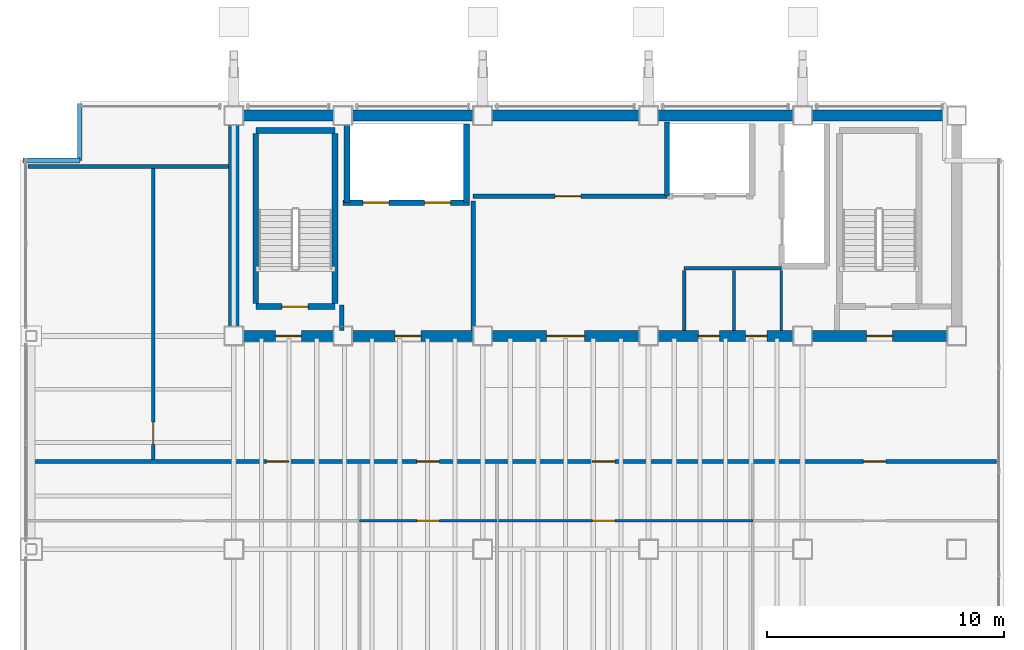
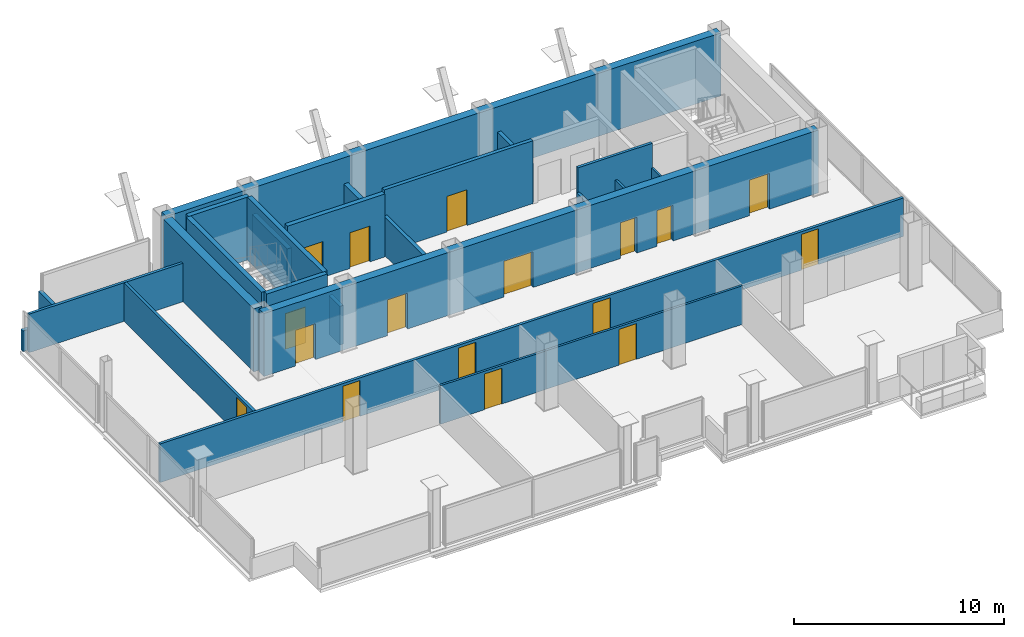
# One storey, part 14 of 16: 25 walls, 17 doors, 17 openings.
"""IFC4 building model written with IfcOpenShell, lengths in metres."""

from ifc_helpers import new_model, si_unit, direction, frame, frame_2d, origin, place, context, subcontext, project, spatial, rectangle, extrude, material, layer, layer_set, type_object, element, fill, save


model = new_model("IFC4")

# Units and contexts
model_context = context("Model", 3, precision=1e-05, world=origin(), true_north=direction((0.0, 1.0)))
body_context = subcontext(model_context, "Body", "Model", "MODEL_VIEW")
ifc_project = project(units=[si_unit("LENGTHUNIT", "METRE"), si_unit("AREAUNIT", "SQUARE_METRE"), si_unit("VOLUMEUNIT", "CUBIC_METRE"), si_unit("PLANEANGLEUNIT", "RADIAN"), si_unit("MASSUNIT", "GRAM", prefix="KILO")], contexts=[model_context])

# Site, building, storey
site_placement = place(None, origin())
site = spatial("IfcSite", under=ifc_project, at=site_placement, CompositionType="ELEMENT")
building_placement = place(site_placement, origin())
building = spatial("IfcBuilding", under=site, at=building_placement, Name="Noeulbin Bourse Tower", CompositionType="ELEMENT")
storey_placement = place(building_placement, frame((0.0, 0.0, 254.0)))
storey = spatial("IfcBuildingStorey", under=building, at=storey_placement, Name="L63", CompositionType="ELEMENT", Elevation=254.0)

# Wall, openings, doors
ifc_material_1 = material(Name="Concrete C50/60", Category="concrete")
ifc_layer_1 = layer(ifc_material_1, 0.449951171875)
ifc_layer_set_1 = layer_set([ifc_layer_1], Name="Concrete C50/60")
wall_type_1 = type_object("IfcWallType", Name="WAL-CORE-450", PredefinedType="SHEAR", material=ifc_layer_set_1)
wall_1_placement = place(storey_placement, frame((13.5, 29.0, 0.0), z_axis=(0.0, 0.0, 1.0), x_axis=(1.0, 0.0, 0.0)))
wall_1 = element("IfcWall", 1, at=wall_1_placement, inside=storey, type_object=wall_type_1, Name="Rear Core South Shear Wall L63", PredefinedType="SHEAR", context=body_context, shape_type="SweptSolid", body=[
    extrude(rectangle(XDim=30.5, YDim=0.449951171875, at=frame_2d((15.25, 0.0))), origin(), (0.0, 0.0, 1.0), 3.659912109375),
])
opening_1_placement = place(wall_1_placement, frame((1.75, 0.0, 0.0)))
opening_1 = element("IfcOpeningElement", 2, at=opening_1_placement, cuts=wall_1, Name="Opening FD-11", PredefinedType="OPENING", context=body_context, shape_type="SweptSolid", body=[
    extrude(rectangle(XDim=1.10009765625, YDim=2.080078125, at=frame_2d((0.550048828125, 1.0400390625))), frame((0.0, 0.23486328125, 0.0), z_axis=(0.0, -1.0, 0.0), x_axis=(1.0, 0.0, 0.0)), (0.0, 0.0, 1.0), 0.469970703125),
])
opening_2_placement = place(wall_1_placement, frame((26.699951171875, 0.0, 0.0)))
opening_2 = element("IfcOpeningElement", 3, at=opening_2_placement, cuts=wall_1, Name="Opening FD-11", PredefinedType="OPENING", context=body_context, shape_type="SweptSolid", body=[
    extrude(rectangle(XDim=1.10009765625, YDim=2.080078125, at=frame_2d((0.550048828125, 1.0400390625))), frame((0.0, 0.23486328125, 0.0), z_axis=(0.0, -1.0, 0.0), x_axis=(1.0, 0.0, 0.0)), (0.0, 0.0, 1.0), 0.469970703125),
])
opening_3_placement = place(wall_1_placement, frame((6.800048828125, 0.0, 0.0)))
opening_3 = element("IfcOpeningElement", 4, at=opening_3_placement, cuts=wall_1, Name="Opening FD-11", PredefinedType="OPENING", context=body_context, shape_type="SweptSolid", body=[
    extrude(rectangle(XDim=1.10009765625, YDim=2.080078125, at=frame_2d((0.550048828125, 1.0400390625))), frame((0.0, 0.23486328125, 0.0), z_axis=(0.0, -1.0, 0.0), x_axis=(1.0, 0.0, 0.0)), (0.0, 0.0, 1.0), 0.469970703125),
])
opening_4_placement = place(wall_1_placement, frame((13.199951171875, 0.0, 0.0)))
opening_4 = element("IfcOpeningElement", 5, at=opening_4_placement, cuts=wall_1, Name="Opening ID-16", PredefinedType="OPENING", context=body_context, shape_type="SweptSolid", body=[
    extrude(rectangle(XDim=1.60009765625, YDim=2.080078125, at=frame_2d((0.800048828125, 1.0400390625))), frame((0.0, 0.23486328125, 0.0), z_axis=(0.0, -1.0, 0.0), x_axis=(1.0, 0.0, 0.0)), (0.0, 0.0, 1.0), 0.469970703125),
])
opening_5_placement = place(wall_1_placement, frame((19.60009765625, 0.0, 0.0)))
opening_5 = element("IfcOpeningElement", 6, at=opening_5_placement, cuts=wall_1, Name="Opening FD-09", PredefinedType="OPENING", context=body_context, shape_type="SweptSolid", body=[
    extrude(rectangle(XDim=0.89990234375, YDim=2.080078125, at=frame_2d((0.449951171875, 1.0400390625))), frame((0.0, 0.23486328125, 0.0), z_axis=(0.0, -1.0, 0.0), x_axis=(1.0, 0.0, 0.0)), (0.0, 0.0, 1.0), 0.469970703125),
])
opening_6_placement = place(wall_1_placement, frame((21.60009765625, 0.0, 0.0)))
opening_6 = element("IfcOpeningElement", 7, at=opening_6_placement, cuts=wall_1, Name="Opening FD-09", PredefinedType="OPENING", context=body_context, shape_type="SweptSolid", body=[
    extrude(rectangle(XDim=0.89990234375, YDim=2.080078125, at=frame_2d((0.449951171875, 1.0400390625))), frame((0.0, 0.23486328125, 0.0), z_axis=(0.0, -1.0, 0.0), x_axis=(1.0, 0.0, 0.0)), (0.0, 0.0, 1.0), 0.469970703125),
])
ifc_material_2 = material(Name="Acoustic Glazed Aluminium", Category="aluminium")
door_type_1 = type_object("IfcDoorType", Name="DR-DBL-1600", OperationType="DOUBLE_DOOR_SINGLE_SWING", PredefinedType="DOOR", material=ifc_material_2)
door_1_placement = place(opening_4_placement, origin())
door_1 = element("IfcDoor", 8, at=door_1_placement, inside=storey, type_object=door_type_1, Name="Passenger Lift Lobby Portal L63", OperationType="DOUBLE_DOOR_SINGLE_SWING", OverallHeight=2.080078125, OverallWidth=1.60009765625, PredefinedType="DOOR", context=body_context, shape_type="SweptSolid", body=[
    extrude(rectangle(XDim=1.60009765625, YDim=2.080078125, at=frame_2d((0.800048828125, 1.0400390625))), frame((0.0, 0.02490234375, 0.0), z_axis=(0.0, -1.0, 0.0), x_axis=(1.0, 0.0, 0.0)), (0.0, 0.0, 1.0), 0.050048828125),
])
fill(opening_4, door_1)
ifc_material_3 = material(Name="Fire-Rated Timber Core", Category="wood")
door_type_2 = type_object("IfcDoorType", Name="DR-FD30-900", OperationType="SINGLE_SWING_RIGHT", PredefinedType="DOOR", material=ifc_material_3)
door_2_placement = place(opening_5_placement, origin())
door_2 = element("IfcDoor", 9, at=door_2_placement, inside=storey, type_object=door_type_2, Name="Interior Door L63-06", OperationType="SINGLE_SWING_LEFT", OverallHeight=2.080078125, OverallWidth=0.89990234375, PredefinedType="DOOR", context=body_context, shape_type="SweptSolid", body=[
    extrude(rectangle(XDim=0.89990234375, YDim=2.080078125, at=frame_2d((0.449951171875, 1.0400390625))), frame((0.0, 0.02490234375, 0.0), z_axis=(0.0, -1.0, 0.0), x_axis=(1.0, 0.0, 0.0)), (0.0, 0.0, 1.0), 0.050048828125),
])
fill(opening_5, door_2)
door_3_placement = place(opening_6_placement, origin())
door_3 = element("IfcDoor", 10, at=door_3_placement, inside=storey, type_object=door_type_2, Name="Interior Door L63-07", OperationType="SINGLE_SWING_RIGHT", OverallHeight=2.080078125, OverallWidth=0.89990234375, PredefinedType="DOOR", context=body_context, shape_type="SweptSolid", body=[
    extrude(rectangle(XDim=0.89990234375, YDim=2.080078125, at=frame_2d((0.449951171875, 1.0400390625))), frame((0.0, 0.02490234375, 0.0), z_axis=(0.0, -1.0, 0.0), x_axis=(1.0, 0.0, 0.0)), (0.0, 0.0, 1.0), 0.050048828125),
])
fill(opening_6, door_3)
ifc_material_4 = material(Name="Fire-Rated Insulated Steel", Category="steel")
door_type_3 = type_object("IfcDoorType", Name="DR-FD60-1100", OperationType="SINGLE_SWING_LEFT", PredefinedType="DOOR", material=ifc_material_4)
door_4_placement = place(opening_1_placement, origin())
door_4 = element("IfcDoor", 11, at=door_4_placement, inside=storey, type_object=door_type_3, Name="West Stair Lobby Door L63", OperationType="SINGLE_SWING_RIGHT", OverallHeight=2.080078125, OverallWidth=1.10009765625, PredefinedType="DOOR", context=body_context, shape_type="SweptSolid", body=[
    extrude(rectangle(XDim=1.10009765625, YDim=2.080078125, at=frame_2d((0.550048828125, 1.0400390625))), frame((0.0, 0.02490234375, 0.0), z_axis=(0.0, -1.0, 0.0), x_axis=(1.0, 0.0, 0.0)), (0.0, 0.0, 1.0), 0.050048828125),
])
fill(opening_1, door_4)
door_5_placement = place(opening_2_placement, origin())
door_5 = element("IfcDoor", 12, at=door_5_placement, inside=storey, type_object=door_type_3, Name="East Stair Lobby Door L63", OperationType="SINGLE_SWING_LEFT", OverallHeight=2.080078125, OverallWidth=1.10009765625, PredefinedType="DOOR", context=body_context, shape_type="SweptSolid", body=[
    extrude(rectangle(XDim=1.10009765625, YDim=2.080078125, at=frame_2d((0.550048828125, 1.0400390625))), frame((0.0, 0.02490234375, 0.0), z_axis=(0.0, -1.0, 0.0), x_axis=(1.0, 0.0, 0.0)), (0.0, 0.0, 1.0), 0.050048828125),
])
fill(opening_2, door_5)
door_6_placement = place(opening_3_placement, origin())
door_6 = element("IfcDoor", 13, at=door_6_placement, inside=storey, type_object=door_type_3, Name="Firefighting Lobby Door L63", OperationType="SINGLE_SWING_RIGHT", OverallHeight=2.080078125, OverallWidth=1.10009765625, PredefinedType="DOOR", context=body_context, shape_type="SweptSolid", body=[
    extrude(rectangle(XDim=1.10009765625, YDim=2.080078125, at=frame_2d((0.550048828125, 1.0400390625))), frame((0.0, 0.02490234375, 0.0), z_axis=(0.0, -1.0, 0.0), x_axis=(1.0, 0.0, 0.0)), (0.0, 0.0, 1.0), 0.050048828125),
])
fill(opening_3, door_6)

# Walls
wall_2_placement = place(storey_placement, frame((13.5, 38.300048828125, 0.0), z_axis=(0.0, 0.0, 1.0), x_axis=(1.0, 0.0, 0.0)))
element("IfcWall", 14, at=wall_2_placement, inside=storey, type_object=wall_type_1, Name="Rear Core North Shear Wall L63", PredefinedType="SHEAR", context=body_context, shape_type="SweptSolid", body=[
    extrude(rectangle(XDim=30.5, YDim=0.449951171875, at=frame_2d((15.25, 0.0))), origin(), (0.0, 0.0, 1.0), 3.659912109375),
])
wall_3_placement = place(storey_placement, frame((13.5, 29.35009765625, 0.0), z_axis=(0.0, 0.0, 1.0), x_axis=(0.0, 1.0, 0.0)))
element("IfcWall", 15, at=wall_3_placement, inside=storey, type_object=wall_type_1, Name="Rear Core West Shear Wall L63", PredefinedType="SHEAR", context=body_context, shape_type="SweptSolid", body=[
    extrude(rectangle(XDim=8.599853515625, YDim=0.449951171875, at=frame_2d((4.2998046875, 0.0))), origin(), (0.0, 0.0, 1.0), 3.659912109375),
])

# Wall, opening, door
ifc_material_5 = material(Name="Concrete C40/50", Category="concrete")
ifc_layer_2 = layer(ifc_material_5, 0.199951171875)
ifc_layer_set_2 = layer_set([ifc_layer_2], Name="Concrete C40/50")
wall_type_2 = type_object("IfcWallType", Name="WAL-FIRE-200", PredefinedType="STANDARD", material=ifc_layer_set_2)
wall_4_placement = place(storey_placement, frame((23.60009765625, 34.89990234375, 0.0), z_axis=(0.0, 0.0, 1.0), x_axis=(1.0, 0.0, 0.0)))
wall_4 = element("IfcWall", 16, at=wall_4_placement, inside=storey, type_object=wall_type_2, Name="Interior Partition Wall L63-02", PredefinedType="STANDARD", context=body_context, shape_type="SweptSolid", body=[
    extrude(rectangle(XDim=8.179931640625, YDim=0.199951171875, at=frame_2d((4.08984375, 0.0))), origin(), (0.0, 0.0, 1.0), 3.659912109375),
])
opening_7_placement = place(wall_4_placement, frame((3.449951171875, 0.0, 0.0)))
opening_7 = element("IfcOpeningElement", 17, at=opening_7_placement, cuts=wall_4, Name="Opening FD-11", PredefinedType="OPENING", context=body_context, shape_type="SweptSolid", body=[
    extrude(rectangle(XDim=1.10009765625, YDim=2.080078125, at=frame_2d((0.550048828125, 1.0400390625))), frame((0.0, 0.10986328125, 0.0), z_axis=(0.0, -1.0, 0.0), x_axis=(1.0, 0.0, 0.0)), (0.0, 0.0, 1.0), 0.219970703125),
])
door_7_placement = place(opening_7_placement, origin())
door_7 = element("IfcDoor", 18, at=door_7_placement, inside=storey, type_object=door_type_3, Name="Telemetry Server Door L63", OperationType="SINGLE_SWING_RIGHT", OverallHeight=2.080078125, OverallWidth=1.10009765625, PredefinedType="DOOR", context=body_context, shape_type="SweptSolid", body=[
    extrude(rectangle(XDim=1.10009765625, YDim=2.080078125, at=frame_2d((0.550048828125, 1.0400390625))), frame((0.0, 0.02490234375, 0.0), z_axis=(0.0, -1.0, 0.0), x_axis=(1.0, 0.0, 0.0)), (0.0, 0.0, 1.0), 0.050048828125),
])
fill(opening_7, door_7)

# Walls
wall_5_placement = place(storey_placement, frame((18.050048828125, 29.235107421875, 0.0), z_axis=(0.0, 0.0, 1.0), x_axis=(0.0, 1.0, 0.0)))
element("IfcWall", 19, at=wall_5_placement, inside=storey, type_object=wall_type_2, Name="Interior Partition Wall L63-10", PredefinedType="STANDARD", context=body_context, shape_type="SweptSolid", body=[
    extrude(rectangle(XDim=1.06494140625, YDim=0.199951171875, at=frame_2d((0.532470703125, 0.0))), origin(), (0.0, 0.0, 1.0), 2.239990234375),
])
wall_6_placement = place(storey_placement, frame((23.60009765625, 29.235107421875, 0.0), z_axis=(0.0, 0.0, 1.0), x_axis=(0.0, 1.0, 0.0)))
element("IfcWall", 20, at=wall_6_placement, inside=storey, type_object=wall_type_2, Name="Interior Partition Wall L63-12", PredefinedType="STANDARD", context=body_context, shape_type="SweptSolid", body=[
    extrude(rectangle(XDim=5.46484375, YDim=0.199951171875, at=frame_2d((2.732421875, 0.0))), origin(), (0.0, 0.0, 1.0), 2.239990234375),
])
ifc_layer_3 = layer(ifc_material_5, 0.199951171875)
ifc_layer_set_3 = layer_set([ifc_layer_3], Name="Concrete C40/50")
wall_type_3 = type_object("IfcWallType", Name="WAL-PAR-200", PredefinedType="PARAPET", material=ifc_layer_set_3)
wall_7_placement = place(storey_placement, frame((4.60009765625, 36.39990234375, 0.0), z_axis=(0.0, 0.0, 1.0), x_axis=(1.0, 0.0, 0.0)))
element("IfcWall", 21, at=wall_7_placement, inside=storey, type_object=wall_type_3, Name="Corner Notch Parapet L63-NW1", PredefinedType="PARAPET", context=body_context, shape_type="SweptSolid", body=[
    extrude(rectangle(XDim=2.39990234375, YDim=0.199951171875, at=frame_2d((1.199951171875, 0.0))), origin(), (0.0, 0.0, 1.0), 1.199951171875),
])
wall_8_placement = place(storey_placement, frame((7.0, 36.39990234375, 0.0), z_axis=(0.0, 0.0, 1.0), x_axis=(0.0, 1.0, 0.0)))
element("IfcWall", 22, at=wall_8_placement, inside=storey, type_object=wall_type_3, Name="Corner Notch Parapet L63-NW2", PredefinedType="PARAPET", context=body_context, shape_type="SweptSolid", body=[
    extrude(rectangle(XDim=2.400146484375, YDim=0.199951171875, at=frame_2d((1.2001953125, 0.0))), origin(), (0.0, 0.0, 1.0), 1.199951171875),
])

# Wall, opening, door
ifc_material_6 = material(Name="Steel Stud Gypsum Partition", Category="steel")
ifc_layer_4 = layer(ifc_material_6, 0.1201171875)
ifc_layer_set_4 = layer_set([ifc_layer_4], Name="Steel Stud Gypsum Partition")
wall_type_4 = type_object("IfcWallType", Name="WAL-PRT-120", PredefinedType="PARTITIONING", material=ifc_layer_set_4)
wall_9_placement = place(storey_placement, frame((18.800048828125, 21.199951171875, 0.0), z_axis=(0.0, 0.0, 1.0), x_axis=(1.0, 0.0, 0.0)))
wall_9 = element("IfcWall", 23, at=wall_9_placement, inside=storey, type_object=wall_type_4, Name="Interior Partition Wall L63-07", PredefinedType="PARTITIONING", context=body_context, shape_type="SweptSolid", body=[
    extrude(rectangle(XDim=5.800048828125, YDim=0.1201171875, at=frame_2d((2.89990234375, 0.0))), origin(), (0.0, 0.0, 1.0), 2.239990234375),
])
opening_8_placement = place(wall_9_placement, frame((2.425048828125, 0.0, 0.0)))
opening_8 = element("IfcOpeningElement", 24, at=opening_8_placement, cuts=wall_9, Name="Opening ID-09", PredefinedType="OPENING", context=body_context, shape_type="SweptSolid", body=[
    extrude(rectangle(XDim=0.949951171875, YDim=2.080078125, at=frame_2d((0.47509765625, 1.0400390625))), frame((0.0, 0.070068359375, 0.0), z_axis=(0.0, -1.0, 0.0), x_axis=(1.0, 0.0, 0.0)), (0.0, 0.0, 1.0), 0.14013671875),
])
ifc_material_7 = material(Name="Acoustic Solid-Core Timber", Category="wood")
door_type_4 = type_object("IfcDoorType", Name="DR-SINGLE-950", OperationType="SINGLE_SWING_LEFT", PredefinedType="DOOR", material=ifc_material_7)
door_8_placement = place(opening_8_placement, origin())
door_8 = element("IfcDoor", 25, at=door_8_placement, inside=storey, type_object=door_type_4, Name="Interior Door L63-10", OperationType="SINGLE_SWING_LEFT", OverallHeight=2.080078125, OverallWidth=0.949951171875, PredefinedType="DOOR", context=body_context, shape_type="SweptSolid", body=[
    extrude(rectangle(XDim=0.949951171875, YDim=2.080078125, at=frame_2d((0.47509765625, 1.0400390625))), frame((0.0, 0.02490234375, 0.0), z_axis=(0.0, -1.0, 0.0), x_axis=(1.0, 0.0, 0.0)), (0.0, 0.0, 1.0), 0.050048828125),
])
fill(opening_8, door_8)

wall_10_placement = place(storey_placement, frame((24.60009765625, 21.199951171875, 0.0), z_axis=(0.0, 0.0, 1.0), x_axis=(1.0, 0.0, 0.0)))
wall_10 = element("IfcWall", 26, at=wall_10_placement, inside=storey, type_object=wall_type_4, Name="Interior Partition Wall L63-08", PredefinedType="PARTITIONING", context=body_context, shape_type="SweptSolid", body=[
    extrude(rectangle(XDim=10.7998046875, YDim=0.1201171875, at=frame_2d((5.39990234375, 0.0))), origin(), (0.0, 0.0, 1.0), 2.239990234375),
])
opening_9_placement = place(wall_10_placement, frame((4.02490234375, 0.0, 0.0)))
opening_9 = element("IfcOpeningElement", 27, at=opening_9_placement, cuts=wall_10, Name="Opening ID-09", PredefinedType="OPENING", context=body_context, shape_type="SweptSolid", body=[
    extrude(rectangle(XDim=0.949951171875, YDim=2.080078125, at=frame_2d((0.47509765625, 1.0400390625))), frame((0.0, 0.070068359375, 0.0), z_axis=(0.0, -1.0, 0.0), x_axis=(1.0, 0.0, 0.0)), (0.0, 0.0, 1.0), 0.14013671875),
])
door_9_placement = place(opening_9_placement, origin())
door_9 = element("IfcDoor", 28, at=door_9_placement, inside=storey, type_object=door_type_4, Name="Interior Door L63-12", OperationType="SINGLE_SWING_LEFT", OverallHeight=2.080078125, OverallWidth=0.949951171875, PredefinedType="DOOR", context=body_context, shape_type="SweptSolid", body=[
    extrude(rectangle(XDim=0.949951171875, YDim=2.080078125, at=frame_2d((0.47509765625, 1.0400390625))), frame((0.0, 0.02490234375, 0.0), z_axis=(0.0, -1.0, 0.0), x_axis=(1.0, 0.0, 0.0)), (0.0, 0.0, 1.0), 0.050048828125),
])
fill(opening_9, door_9)

# Walls
for number, where, z_axis, x_axis, name in (
    (29, (36.60009765625, 29.235107421875, 0.0), (0.0, 0.0, 1.0), (0.0, 1.0, 0.0), "Interior Partition Wall L63-14"),
    (30, (34.60009765625, 29.235107421875, 0.0), (0.0, 0.0, 1.0), (0.0, 1.0, 0.0), "Interior Partition Wall L63-15"),
):
    element("IfcWall", number, at=place(storey_placement, frame(where, z_axis=z_axis, x_axis=x_axis)), inside=storey, type_object=wall_type_4, Name=name, PredefinedType="PARTITIONING", context=body_context, shape_type="SweptSolid", body=[
        extrude(rectangle(XDim=2.52978515625, YDim=0.1201171875, at=frame_2d((1.264892578125, 0.0))), origin(), (0.0, 0.0, 1.0), 2.239990234375),
    ])
ifc_material_8 = material(Name="Steel Stud Acoustic Gypsum Board", Category="steel")
ifc_layer_5 = layer(ifc_material_8, 0.14990234375)
ifc_layer_set_5 = layer_set([ifc_layer_5], Name="Steel Stud Acoustic Gypsum Board")
wall_type_5 = type_object("IfcWallType", Name="WAL-PRT-150", PredefinedType="PARTITIONING", material=ifc_layer_set_5)
wall_11_placement = place(storey_placement, frame((32.5, 31.85009765625, 0.0), z_axis=(0.0, 0.0, 1.0), x_axis=(1.0, 0.0, 0.0)))
element("IfcWall", 31, at=wall_11_placement, inside=storey, type_object=wall_type_5, Name="Interior Partition Wall L63-03", PredefinedType="PARTITIONING", context=body_context, shape_type="SweptSolid", body=[
    extrude(rectangle(XDim=4.10009765625, YDim=0.14990234375, at=frame_2d((2.050048828125, 0.0))), origin(), (0.0, 0.0, 1.0), 3.659912109375),
])

# Wall, openings, doors
wall_12_placement = place(storey_placement, frame((4.81005859375, 23.699951171875, 0.0), z_axis=(0.0, 0.0, 1.0), x_axis=(1.0, 0.0, 0.0)))
wall_12 = element("IfcWall", 32, at=wall_12_placement, inside=storey, type_object=wall_type_5, Name="Interior Partition Wall L63-04", PredefinedType="PARTITIONING", context=body_context, shape_type="SweptSolid", body=[
    extrude(rectangle(XDim=40.8798828125, YDim=0.14990234375, at=frame_2d((20.43994140625, 0.0))), origin(), (0.0, 0.0, 1.0), 2.239990234375),
])
opening_10_placement = place(wall_12_placement, frame((10.06494140625, 0.0, 0.0)))
opening_10 = element("IfcOpeningElement", 33, at=opening_10_placement, cuts=wall_12, Name="Opening ID-09", PredefinedType="OPENING", context=body_context, shape_type="SweptSolid", body=[
    extrude(rectangle(XDim=0.949951171875, YDim=2.080078125, at=frame_2d((0.47509765625, 1.0400390625))), frame((0.0, 0.0849609375, 0.0), z_axis=(0.0, -1.0, 0.0), x_axis=(1.0, 0.0, 0.0)), (0.0, 0.0, 1.0), 0.169921875),
])
opening_11_placement = place(wall_12_placement, frame((16.4150390625, 0.0, 0.0)))
opening_11 = element("IfcOpeningElement", 34, at=opening_11_placement, cuts=wall_12, Name="Opening ID-09", PredefinedType="OPENING", context=body_context, shape_type="SweptSolid", body=[
    extrude(rectangle(XDim=0.949951171875, YDim=2.080078125, at=frame_2d((0.47509765625, 1.0400390625))), frame((0.0, 0.0849609375, 0.0), z_axis=(0.0, -1.0, 0.0), x_axis=(1.0, 0.0, 0.0)), (0.0, 0.0, 1.0), 0.169921875),
])
opening_12_placement = place(wall_12_placement, frame((23.81494140625, 0.0, 0.0)))
opening_12 = element("IfcOpeningElement", 35, at=opening_12_placement, cuts=wall_12, Name="Opening ID-09", PredefinedType="OPENING", context=body_context, shape_type="SweptSolid", body=[
    extrude(rectangle(XDim=0.949951171875, YDim=2.080078125, at=frame_2d((0.47509765625, 1.0400390625))), frame((0.0, 0.0849609375, 0.0), z_axis=(0.0, -1.0, 0.0), x_axis=(1.0, 0.0, 0.0)), (0.0, 0.0, 1.0), 0.169921875),
])
opening_13_placement = place(wall_12_placement, frame((35.260009765625, 0.0, 0.0)))
opening_13 = element("IfcOpeningElement", 36, at=opening_13_placement, cuts=wall_12, Name="Opening ID-09", PredefinedType="OPENING", context=body_context, shape_type="SweptSolid", body=[
    extrude(rectangle(XDim=0.949951171875, YDim=2.080078125, at=frame_2d((0.47509765625, 1.0400390625))), frame((0.0, 0.0849609375, 0.0), z_axis=(0.0, -1.0, 0.0), x_axis=(1.0, 0.0, 0.0)), (0.0, 0.0, 1.0), 0.169921875),
])
door_10_placement = place(opening_10_placement, origin())
door_10 = element("IfcDoor", 37, at=door_10_placement, inside=storey, type_object=door_type_4, Name="Interior Door L63-09", OperationType="SINGLE_SWING_RIGHT", OverallHeight=2.080078125, OverallWidth=0.949951171875, PredefinedType="DOOR", context=body_context, shape_type="SweptSolid", body=[
    extrude(rectangle(XDim=0.949951171875, YDim=2.080078125, at=frame_2d((0.47509765625, 1.0400390625))), frame((0.0, 0.02490234375, 0.0), z_axis=(0.0, -1.0, 0.0), x_axis=(1.0, 0.0, 0.0)), (0.0, 0.0, 1.0), 0.050048828125),
])
fill(opening_10, door_10)
door_11_placement = place(opening_11_placement, origin())
door_11 = element("IfcDoor", 38, at=door_11_placement, inside=storey, type_object=door_type_4, Name="Interior Door L63-11", OperationType="SINGLE_SWING_RIGHT", OverallHeight=2.080078125, OverallWidth=0.949951171875, PredefinedType="DOOR", context=body_context, shape_type="SweptSolid", body=[
    extrude(rectangle(XDim=0.949951171875, YDim=2.080078125, at=frame_2d((0.47509765625, 1.0400390625))), frame((0.0, 0.02490234375, 0.0), z_axis=(0.0, -1.0, 0.0), x_axis=(1.0, 0.0, 0.0)), (0.0, 0.0, 1.0), 0.050048828125),
])
fill(opening_11, door_11)
door_12_placement = place(opening_12_placement, origin())
door_12 = element("IfcDoor", 39, at=door_12_placement, inside=storey, type_object=door_type_4, Name="Interior Door L63-13", OperationType="SINGLE_SWING_RIGHT", OverallHeight=2.080078125, OverallWidth=0.949951171875, PredefinedType="DOOR", context=body_context, shape_type="SweptSolid", body=[
    extrude(rectangle(XDim=0.949951171875, YDim=2.080078125, at=frame_2d((0.47509765625, 1.0400390625))), frame((0.0, 0.02490234375, 0.0), z_axis=(0.0, -1.0, 0.0), x_axis=(1.0, 0.0, 0.0)), (0.0, 0.0, 1.0), 0.050048828125),
])
fill(opening_12, door_12)
door_13_placement = place(opening_13_placement, origin())
door_13 = element("IfcDoor", 40, at=door_13_placement, inside=storey, type_object=door_type_4, Name="Interior Door L63-15", OperationType="SINGLE_SWING_RIGHT", OverallHeight=2.080078125, OverallWidth=0.949951171875, PredefinedType="DOOR", context=body_context, shape_type="SweptSolid", body=[
    extrude(rectangle(XDim=0.949951171875, YDim=2.080078125, at=frame_2d((0.47509765625, 1.0400390625))), frame((0.0, 0.02490234375, 0.0), z_axis=(0.0, -1.0, 0.0), x_axis=(1.0, 0.0, 0.0)), (0.0, 0.0, 1.0), 0.050048828125),
])
fill(opening_13, door_13)

# Walls
wall_13_placement = place(storey_placement, frame((4.81005859375, 36.14990234375, 0.0), z_axis=(0.0, 0.0, 1.0), x_axis=(1.0, 0.0, 0.0)))
element("IfcWall", 41, at=wall_13_placement, inside=storey, type_object=wall_type_5, Name="Interior Partition Wall L63-05", PredefinedType="PARTITIONING", context=body_context, shape_type="SweptSolid", body=[
    extrude(rectangle(XDim=8.454833984375, YDim=0.14990234375, at=frame_2d((4.2275390625, 0.0))), origin(), (0.0, 0.0, 1.0), 2.239990234375),
])
wall_14_placement = place(storey_placement, frame((32.5, 29.235107421875, 0.0), z_axis=(0.0, 0.0, 1.0), x_axis=(0.0, 1.0, 0.0)))
element("IfcWall", 42, at=wall_14_placement, inside=storey, type_object=wall_type_5, Name="Interior Partition Wall L63-13", PredefinedType="PARTITIONING", context=body_context, shape_type="SweptSolid", body=[
    extrude(rectangle(XDim=2.52978515625, YDim=0.14990234375, at=frame_2d((1.264892578125, 0.0))), origin(), (0.0, 0.0, 1.0), 2.239990234375),
])

# Wall, opening, door
wall_15_placement = place(storey_placement, frame((10.10009765625, 23.784912109375, 0.0), z_axis=(0.0, 0.0, 1.0), x_axis=(0.0, 1.0, 0.0)))
wall_15 = element("IfcWall", 43, at=wall_15_placement, inside=storey, type_object=wall_type_5, Name="Interior Partition Wall L63-16", PredefinedType="PARTITIONING", context=body_context, shape_type="SweptSolid", body=[
    extrude(rectangle(XDim=12.280029296875, YDim=0.14990234375, at=frame_2d((6.14013671875, 0.0))), origin(), (0.0, 0.0, 1.0), 2.239990234375),
])
opening_14_placement = place(wall_15_placement, frame((0.639892578125, 0.0, 0.0)))
opening_14 = element("IfcOpeningElement", 44, at=opening_14_placement, cuts=wall_15, Name="Opening ID-09", PredefinedType="OPENING", context=body_context, shape_type="SweptSolid", body=[
    extrude(rectangle(XDim=0.949951171875, YDim=2.080078125, at=frame_2d((0.47509765625, 1.0400390625))), frame((0.0, 0.0849609375, 0.0), z_axis=(0.0, -1.0, 0.0), x_axis=(1.0, 0.0, 0.0)), (0.0, 0.0, 1.0), 0.169921875),
])
door_14_placement = place(opening_14_placement, origin())
door_14 = element("IfcDoor", 45, at=door_14_placement, inside=storey, type_object=door_type_4, Name="Interior Door L63-16", OperationType="SINGLE_SWING_LEFT", OverallHeight=2.080078125, OverallWidth=0.949951171875, PredefinedType="DOOR", context=body_context, shape_type="SweptSolid", body=[
    extrude(rectangle(XDim=0.949951171875, YDim=2.080078125, at=frame_2d((0.47509765625, 1.0400390625))), frame((0.0, 0.02490234375, 0.0), z_axis=(0.0, -1.0, 0.0), x_axis=(1.0, 0.0, 0.0)), (0.0, 0.0, 1.0), 0.050048828125),
])
fill(opening_14, door_14)

ifc_layer_6 = layer(ifc_material_5, 0.25)
ifc_layer_set_6 = layer_set([ifc_layer_6], Name="Concrete C40/50")
wall_type_6 = type_object("IfcWallType", Name="WAL-SHFT-250", PredefinedType="STANDARD", material=ifc_layer_set_6)
wall_16_placement = place(storey_placement, frame((14.429931640625, 30.235107421875, 0.0), z_axis=(0.0, 0.0, 1.0), x_axis=(1.0, 0.0, 0.0)))
wall_16 = element("IfcWall", 46, at=wall_16_placement, inside=storey, type_object=wall_type_6, Name="Stair ST-1 South Shaft Wall L63", PredefinedType="STANDARD", context=body_context, shape_type="SweptSolid", body=[
    extrude(rectangle(XDim=3.340087890625, YDim=0.25, at=frame_2d((1.669921875, 0.0))), origin(), (0.0, 0.0, 1.0), 3.659912109375),
])
opening_15_placement = place(wall_16_placement, frame((1.10009765625, 0.0, 0.0)))
opening_15 = element("IfcOpeningElement", 47, at=opening_15_placement, cuts=wall_16, Name="Opening FD-11", PredefinedType="OPENING", context=body_context, shape_type="SweptSolid", body=[
    extrude(rectangle(XDim=1.10009765625, YDim=2.080078125, at=frame_2d((0.550048828125, 1.0400390625))), frame((0.0, 0.135009765625, 0.0), z_axis=(0.0, -1.0, 0.0), x_axis=(1.0, 0.0, 0.0)), (0.0, 0.0, 1.0), 0.27001953125),
])
door_15_placement = place(opening_15_placement, origin())
door_15 = element("IfcDoor", 48, at=door_15_placement, inside=storey, type_object=door_type_3, Name="Protected Stair Entry Door ST1-L63", OperationType="SINGLE_SWING_RIGHT", OverallHeight=2.080078125, OverallWidth=1.10009765625, PredefinedType="DOOR", context=body_context, shape_type="SweptSolid", body=[
    extrude(rectangle(XDim=1.10009765625, YDim=2.080078125, at=frame_2d((0.550048828125, 1.0400390625))), frame((0.0, 0.02490234375, 0.0), z_axis=(0.0, -1.0, 0.0), x_axis=(1.0, 0.0, 0.0)), (0.0, 0.0, 1.0), 0.050048828125),
])
fill(opening_15, door_15)

# Walls
wall_17_placement = place(storey_placement, frame((14.429931640625, 37.6689453125, 0.0), z_axis=(0.0, 0.0, 1.0), x_axis=(1.0, 0.0, 0.0)))
element("IfcWall", 49, at=wall_17_placement, inside=storey, type_object=wall_type_6, Name="Stair ST-1 North Shaft Wall L63", PredefinedType="STANDARD", context=body_context, shape_type="SweptSolid", body=[
    extrude(rectangle(XDim=3.340087890625, YDim=0.25, at=frame_2d((1.669921875, 0.0))), origin(), (0.0, 0.0, 1.0), 3.659912109375),
])
for number, where, z_axis, x_axis, name in (
    (50, (14.425048828125, 30.360107421875, 0.0), (0.0, 0.0, 1.0), (0.0, 1.0, 0.0), "Stair ST-1 West Shaft Wall L63"),
    (51, (17.77490234375, 30.360107421875, 0.0), (0.0, 0.0, 1.0), (0.0, 1.0, 0.0), "Stair ST-1 East Shaft Wall L63"),
):
    element("IfcWall", number, at=place(storey_placement, frame(where, z_axis=z_axis, x_axis=x_axis)), inside=storey, type_object=wall_type_6, Name=name, PredefinedType="STANDARD", context=body_context, shape_type="SweptSolid", body=[
        extrude(rectangle(XDim=7.183837890625, YDim=0.25, at=frame_2d((3.591796875, 0.0))), origin(), (0.0, 0.0, 1.0), 3.659912109375),
    ])

# Wall, openings, doors
wall_18_placement = place(storey_placement, frame((18.10009765625, 34.6201171875, 0.0), z_axis=(0.0, 0.0, 1.0), x_axis=(1.0, 0.0, 0.0)))
wall_18 = element("IfcWall", 52, at=wall_18_placement, inside=storey, type_object=wall_type_6, Name="Firefighting Lift Shaft Front L63", PredefinedType="STANDARD", context=body_context, shape_type="SweptSolid", body=[
    extrude(rectangle(XDim=5.349853515625, YDim=0.25, at=frame_2d((2.6748046875, 0.0))), origin(), (0.0, 0.0, 1.0), 3.659912109375),
])
opening_16_placement = place(wall_18_placement, frame((0.85009765625, 0.0, 0.0)))
opening_16 = element("IfcOpeningElement", 53, at=opening_16_placement, cuts=wall_18, Name="Opening LD-11", PredefinedType="OPENING", context=body_context, shape_type="SweptSolid", body=[
    extrude(rectangle(XDim=1.10009765625, YDim=2.080078125, at=frame_2d((0.550048828125, 1.0400390625))), frame((0.0, 0.135009765625, 0.0), z_axis=(0.0, -1.0, 0.0), x_axis=(1.0, 0.0, 0.0)), (0.0, 0.0, 1.0), 0.27001953125),
])
opening_17_placement = place(wall_18_placement, frame((3.449951171875, 0.0, 0.0)))
opening_17 = element("IfcOpeningElement", 54, at=opening_17_placement, cuts=wall_18, Name="Opening LD-11", PredefinedType="OPENING", context=body_context, shape_type="SweptSolid", body=[
    extrude(rectangle(XDim=1.10009765625, YDim=2.080078125, at=frame_2d((0.550048828125, 1.0400390625))), frame((0.0, 0.135009765625, 0.0), z_axis=(0.0, -1.0, 0.0), x_axis=(1.0, 0.0, 0.0)), (0.0, 0.0, 1.0), 0.27001953125),
])
ifc_material_9 = material(Name="Brushed Stainless Steel 316", Category="steel")
door_type_5 = type_object("IfcDoorType", Name="DR-LIFT-1100", OperationType="SLIDING_TO_LEFT", PredefinedType="DOOR", material=ifc_material_9)
door_16_placement = place(opening_16_placement, origin())
door_16 = element("IfcDoor", 55, at=door_16_placement, inside=storey, type_object=door_type_5, Name="Lift Landing Door LD-FL-01-L63", OperationType="SLIDING_TO_LEFT", OverallHeight=2.080078125, OverallWidth=1.10009765625, PredefinedType="DOOR", context=body_context, shape_type="SweptSolid", body=[
    extrude(rectangle(XDim=1.10009765625, YDim=2.080078125, at=frame_2d((0.550048828125, 1.0400390625))), frame((0.0, 0.02490234375, 0.0), z_axis=(0.0, -1.0, 0.0), x_axis=(1.0, 0.0, 0.0)), (0.0, 0.0, 1.0), 0.050048828125),
])
fill(opening_16, door_16)
door_17_placement = place(opening_17_placement, origin())
door_17 = element("IfcDoor", 56, at=door_17_placement, inside=storey, type_object=door_type_5, Name="Lift Landing Door LD-FL-02-L63", OperationType="SLIDING_TO_LEFT", OverallHeight=2.080078125, OverallWidth=1.10009765625, PredefinedType="DOOR", context=body_context, shape_type="SweptSolid", body=[
    extrude(rectangle(XDim=1.10009765625, YDim=2.080078125, at=frame_2d((0.550048828125, 1.0400390625))), frame((0.0, 0.02490234375, 0.0), z_axis=(0.0, -1.0, 0.0), x_axis=(1.0, 0.0, 0.0)), (0.0, 0.0, 1.0), 0.050048828125),
])
fill(opening_17, door_17)

# Walls
for number, where, z_axis, x_axis, name in (
    (57, (18.280029296875, 34.6201171875, 0.0), (0.0, 0.0, 1.0), (0.0, 1.0, 0.0), "Firefighting Lift West Shaft Wall L63"),
    (58, (23.320068359375, 34.6201171875, 0.0), (0.0, 0.0, 1.0), (0.0, 1.0, 0.0), "Firefighting Lift East Shaft Wall L63"),
):
    element("IfcWall", number, at=place(storey_placement, frame(where, z_axis=z_axis, x_axis=x_axis)), inside=storey, type_object=wall_type_6, Name=name, PredefinedType="STANDARD", context=body_context, shape_type="SweptSolid", body=[
        extrude(rectangle(XDim=3.329833984375, YDim=0.25, at=frame_2d((1.6650390625, 0.0))), origin(), (0.0, 0.0, 1.0), 2.239990234375),
    ])
wall_19_placement = place(storey_placement, frame((31.780029296875, 34.89990234375, 0.0), z_axis=(0.0, 0.0, 1.0), x_axis=(0.0, 1.0, 0.0)))
element("IfcWall", 59, at=wall_19_placement, inside=storey, type_object=wall_type_6, Name="Hoistway Side Shaft Wall L63-PLHW", PredefinedType="STANDARD", context=body_context, shape_type="SweptSolid", body=[
    extrude(rectangle(XDim=3.1201171875, YDim=0.199951171875, at=frame_2d((1.56005859375, 0.0))), origin(), (0.0, 0.0, 1.0), 2.239990234375),
])

save(model, "model.ifc")
